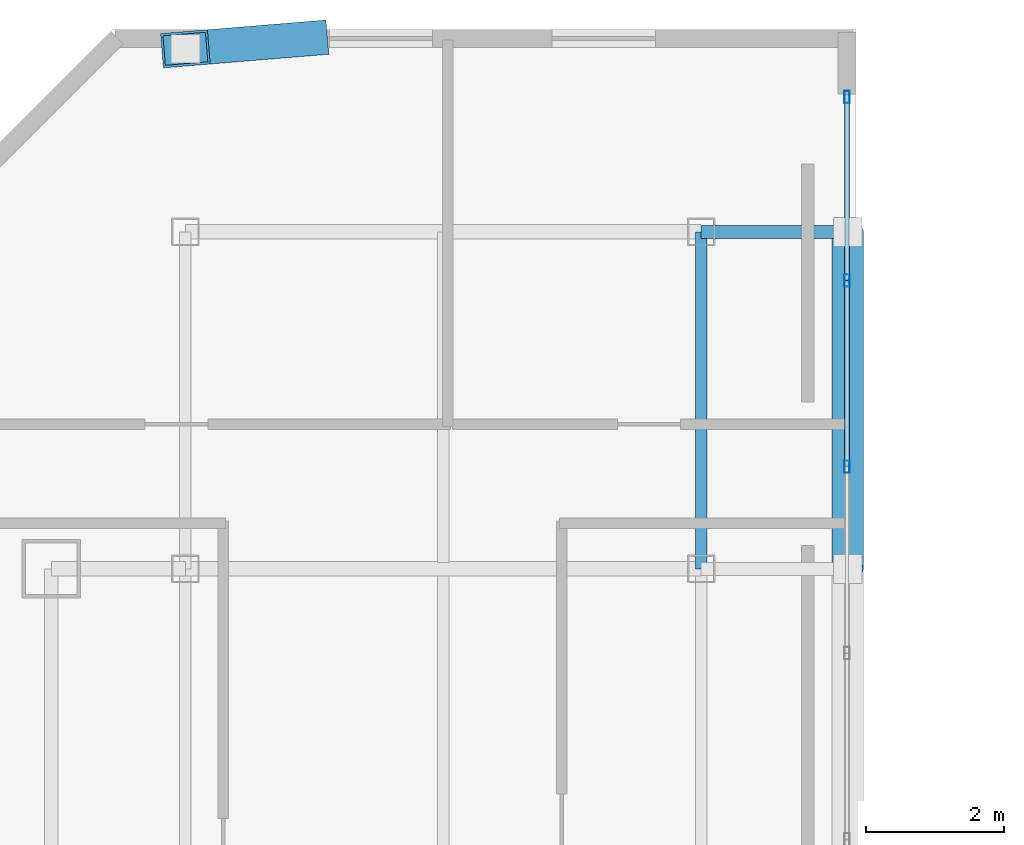
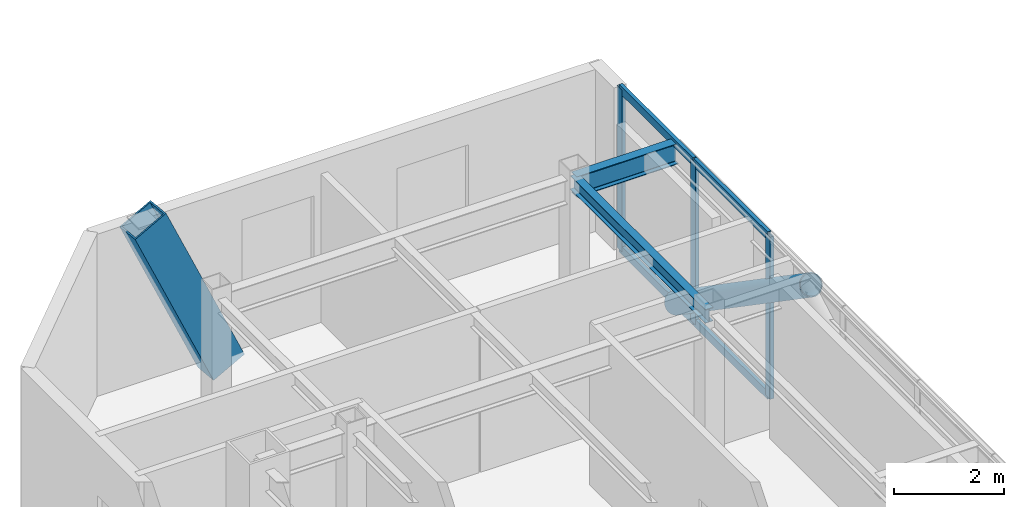
# One storey, part 9 of 19: 9 members, 2 beams, 1 element without a shape of its own.
"""IFC4 building model written with IfcOpenShell, lengths in metres."""

from ifc_helpers import new_model, si_unit, direction, frame, origin, origin_2d, place, context, subcontext, project, spatial, hollow_rectangle, hollow_circle, i_section, extrude, material, material_profile, profile_set, type_object, element, aggregate, save


model = new_model("IFC4")

# Units and contexts
model_context = context("Model", 3, precision=1e-05, world=origin(), true_north=direction((0.0, 1.0)))
body_context = subcontext(model_context, "Body", "Model", "MODEL_VIEW")
ifc_project = project(units=[si_unit("LENGTHUNIT", "METRE"), si_unit("AREAUNIT", "SQUARE_METRE"), si_unit("VOLUMEUNIT", "CUBIC_METRE"), si_unit("PLANEANGLEUNIT", "RADIAN"), si_unit("MASSUNIT", "GRAM", prefix="KILO")], contexts=[model_context])

# Site, building, storey
site_placement = place(None, origin())
site = spatial("IfcSite", under=ifc_project, at=site_placement, CompositionType="ELEMENT")
building_placement = place(site_placement, origin())
building = spatial("IfcBuilding", under=site, at=building_placement, Name="Ventersveld Concourse Tower", CompositionType="ELEMENT")
storey_placement = place(building_placement, frame((0.0, 0.0, 345.199951171875)))
storey = spatial("IfcBuildingStorey", under=building, at=storey_placement, Name="L85", CompositionType="ELEMENT", Elevation=345.199951171875)

# Beam
ifc_material_1 = material(Name="Structural steel S355J2", Category="steel")
ifc_material_profile_1 = material_profile(ifc_material_1, i_section(OverallWidth=0.1650390625, OverallDepth=0.303466796875, WebThickness=0.006103515625, FlangeThickness=0.01025390625, FilletRadius=0.0087890625, at=origin_2d()), Name="UB 305x165x40")
ifc_profile_set_1 = profile_set([ifc_material_profile_1], Name="Structural steel S355J2")
beam_type_1 = type_object("IfcBeamType", Name="BM-UB305", PredefinedType="BEAM", material=ifc_profile_set_1)
beam_1_placement = place(storey_placement, frame((21.25, 23.60009765625, 3.438232421875), z_axis=(0.0, 1.0, 0.0), x_axis=(-1.0, 0.0, 0.0)))
element("IfcBeam", 1, at=beam_1_placement, inside=storey, type_object=beam_type_1, Name="L85 N-S Upper-Zone Floor Beam X=21.25", PredefinedType="BEAM", context=body_context, shape_type="SweptSolid", body=[
    extrude(i_section(OverallWidth=0.1650390625, OverallDepth=0.303466796875, WebThickness=0.006103515625, FlangeThickness=0.01025390625, FilletRadius=0.0087890625, at=origin_2d()), origin(), (0.0, 0.0, 1.0), 4.89990234375),
])

# Curtain wall, members
ifc_material_2 = material(Name="Anodised aluminium EN AW-6063-T6", Category="aluminium")
curtain_wall_type = type_object("IfcCurtainWallType", Name="CW-WP-5", PredefinedType="NOTDEFINED", material=ifc_material_2)
curtain_wall_placement = place(storey_placement, origin())
curtain_wall = element("IfcCurtainWall", 2, at=curtain_wall_placement, inside=storey, type_object=curtain_wall_type, Name="L85 L85 Wind Portal Aerodynamic Cheek Curtain Wall", PredefinedType="NOTDEFINED")
ifc_material_profile_2 = material_profile(ifc_material_2, hollow_rectangle(XDim=0.074951171875, YDim=0.179931640625, WallThickness=0.00390625, at=origin_2d()), Name="ALU 180x75x4")
ifc_profile_set_2 = profile_set([ifc_material_profile_2], Name="Anodised aluminium EN AW-6063-T6")
member_type_1 = type_object("IfcMemberType", Name="CWM-180x75", PredefinedType="MULLION", material=ifc_profile_set_2)
member_1_placement = place(storey_placement, frame((23.3701171875, 25.0849609375, 0.0), z_axis=(0.0, 0.0, 1.0), x_axis=(1.0, 0.0, 0.0)))
member_1 = element("IfcMember", 3, at=member_1_placement, type_object=member_type_1, Name="CW-L85-WP-W Mullion 05", PredefinedType="MULLION", context=body_context, shape_type="SweptSolid", body=[
    extrude(hollow_rectangle(XDim=0.074951171875, YDim=0.179931640625, WallThickness=0.00390625, at=origin_2d()), origin(), (0.0, 0.0, 1.0), 3.590087890625),
])
member_2_placement = place(storey_placement, frame((23.3701171875, 27.793701171875, 0.0), z_axis=(0.0, 0.0, 1.0), x_axis=(1.0, 0.0, 0.0)))
member_2 = element("IfcMember", 4, at=member_2_placement, type_object=member_type_1, Name="CW-L85-WP-W Mullion 06", PredefinedType="MULLION", context=body_context, shape_type="SweptSolid", body=[
    extrude(hollow_rectangle(XDim=0.074951171875, YDim=0.179931640625, WallThickness=0.00390625, at=origin_2d()), origin(), (0.0, 0.0, 1.0), 3.590087890625),
])
member_3_placement = place(storey_placement, frame((23.3701171875, 30.46240234375, 0.0), z_axis=(0.0, 0.0, 1.0), x_axis=(1.0, 0.0, 0.0)))
member_3 = element("IfcMember", 5, at=member_3_placement, type_object=member_type_1, Name="CW-L85-WP-W Mullion 07", PredefinedType="MULLION", context=body_context, shape_type="SweptSolid", body=[
    extrude(hollow_rectangle(XDim=0.074951171875, YDim=0.179931640625, WallThickness=0.00390625, at=origin_2d()), origin(), (0.0, 0.0, 1.0), 3.590087890625),
])
ifc_material_profile_3 = material_profile(ifc_material_2, hollow_rectangle(XDim=0.074951171875, YDim=0.179931640625, WallThickness=0.00390625, at=origin_2d()), Name="ALU 180x75x4")
ifc_profile_set_3 = profile_set([ifc_material_profile_3], Name="Anodised aluminium EN AW-6063-T6")
member_type_2 = type_object("IfcMemberType", Name="CWT-180x75", PredefinedType="USERDEFINED", material=ifc_profile_set_3)
member_4_placement = place(storey_placement, frame((23.3701171875, 25.094970703125, 0.030029296875), z_axis=(0.0, 1.0, 0.0), x_axis=(-1.0, 0.0, 0.0)))
member_4 = element("IfcMember", 6, at=member_4_placement, type_object=member_type_2, Name="CW-L85-WP-W Transom 1-05", ObjectType="TRANSOM", PredefinedType="USERDEFINED", context=body_context, shape_type="SweptSolid", body=[
    extrude(hollow_rectangle(XDim=0.074951171875, YDim=0.179931640625, WallThickness=0.00390625, at=origin_2d()), origin(), (0.0, 0.0, 1.0), 2.688720703125),
])
member_5_placement = place(storey_placement, frame((23.3701171875, 27.8037109375, 0.030029296875), z_axis=(0.0, 1.0, 0.0), x_axis=(-1.0, 0.0, 0.0)))
member_5 = element("IfcMember", 7, at=member_5_placement, type_object=member_type_2, Name="CW-L85-WP-W Transom 1-06", ObjectType="TRANSOM", PredefinedType="USERDEFINED", context=body_context, shape_type="SweptSolid", body=[
    extrude(hollow_rectangle(XDim=0.074951171875, YDim=0.179931640625, WallThickness=0.00390625, at=origin_2d()), origin(), (0.0, 0.0, 1.0), 2.6787109375),
])
member_6_placement = place(storey_placement, frame((23.3701171875, 25.094970703125, 3.56005859375), z_axis=(0.0, 1.0, 0.0), x_axis=(-1.0, 0.0, 0.0)))
member_6 = element("IfcMember", 8, at=member_6_placement, type_object=member_type_2, Name="CW-L85-WP-W Transom 2-05", ObjectType="TRANSOM", PredefinedType="USERDEFINED", context=body_context, shape_type="SweptSolid", body=[
    extrude(hollow_rectangle(XDim=0.074951171875, YDim=0.179931640625, WallThickness=0.00390625, at=origin_2d()), origin(), (0.0, 0.0, 1.0), 2.688720703125),
])
member_7_placement = place(storey_placement, frame((23.3701171875, 27.8037109375, 3.56005859375), z_axis=(0.0, 1.0, 0.0), x_axis=(-1.0, 0.0, 0.0)))
member_7 = element("IfcMember", 9, at=member_7_placement, type_object=member_type_2, Name="CW-L85-WP-W Transom 2-06", ObjectType="TRANSOM", PredefinedType="USERDEFINED", context=body_context, shape_type="SweptSolid", body=[
    extrude(hollow_rectangle(XDim=0.074951171875, YDim=0.179931640625, WallThickness=0.00390625, at=origin_2d()), origin(), (0.0, 0.0, 1.0), 2.6787109375),
])
aggregate(curtain_wall, [member_1, member_2, member_3, member_4, member_5, member_6, member_7])

# Member
ifc_material_3 = material(Name="Structural steel S355ML", Category="steel")
ifc_material_profile_4 = material_profile(ifc_material_3, hollow_rectangle(XDim=0.5, YDim=0.75, WallThickness=0.034912109375, at=origin_2d()), Name="BOX 750x500x35")
ifc_profile_set_4 = profile_set([ifc_material_profile_4], Name="Structural steel S355ML")
member_type_3 = type_object("IfcMemberType", Name="MB-750x500", PredefinedType="BRACE", material=ifc_profile_set_4)
member_8_placement = place(storey_placement, frame((15.473876953125, 31.30419921875, -0.219970703125), z_axis=(-0.411987142976, -0.033841175885, 0.910561018734), x_axis=(0.081865622201, -0.99664337649, 0.0)))
element("IfcMember", 10, at=member_8_placement, inside=storey, type_object=member_type_3, Name="L85 Exterior Mega-Brace N (Module M20)", PredefinedType="BRACE", context=body_context, shape_type="SweptSolid", body=[
    extrude(hollow_rectangle(XDim=0.5, YDim=0.75, WallThickness=0.034912109375, at=origin_2d()), origin(), (0.0, 0.0, 1.0), 4.184326171875),
])

# Beam
ifc_material_profile_5 = material_profile(ifc_material_1, i_section(OverallWidth=0.19140625, OverallDepth=0.4599609375, WebThickness=0.010009765625, FlangeThickness=0.01611328125, FilletRadius=0.01025390625, at=origin_2d()), Name="UB 457x191x82")
ifc_profile_set_5 = profile_set([ifc_material_profile_5], Name="Structural steel S355J2")
beam_type_2 = type_object("IfcBeamType", Name="SPD-UB457", PredefinedType="SPANDREL", material=ifc_profile_set_5)
beam_2_placement = place(storey_placement, frame((21.25, 28.5, 3.360107421875), z_axis=(1.0, 0.0, 0.0), x_axis=(0.0, 1.0, 0.0)))
element("IfcBeam", 11, at=beam_2_placement, inside=storey, type_object=beam_type_2, Name="L85 Wind Portal West Tie YN", PredefinedType="SPANDREL", context=body_context, shape_type="SweptSolid", body=[
    extrude(i_section(OverallWidth=0.19140625, OverallDepth=0.4599609375, WebThickness=0.010009765625, FlangeThickness=0.01611328125, FilletRadius=0.01025390625, at=origin_2d()), origin(), (0.0, 0.0, 1.0), 2.1298828125),
])

# Member
ifc_material_profile_6 = material_profile(ifc_material_3, hollow_circle(Radius=0.228515625, WallThickness=0.02001953125, at=origin_2d()), Name="CHS 457x20")
ifc_profile_set_6 = profile_set([ifc_material_profile_6], Name="Structural steel S355ML")
member_type_4 = type_object("IfcMemberType", Name="STR-WP-457", PredefinedType="STRUT", material=ifc_profile_set_6)
member_9_placement = place(storey_placement, frame((23.3798828125, 28.5, 0.0), z_axis=(0.0, -0.823929312234, 0.566692587248), x_axis=(1.0, 0.0, 0.0)))
element("IfcMember", 12, at=member_9_placement, inside=storey, type_object=member_type_4, Name="L85 Wind Portal Edge Brace Strut W2", PredefinedType="STRUT", context=body_context, shape_type="SweptSolid", body=[
    extrude(hollow_circle(Radius=0.228515625, WallThickness=0.02001953125, at=origin_2d()), origin(), (0.0, 0.0, 1.0), 5.947021484375),
])

save(model, "model.ifc")
